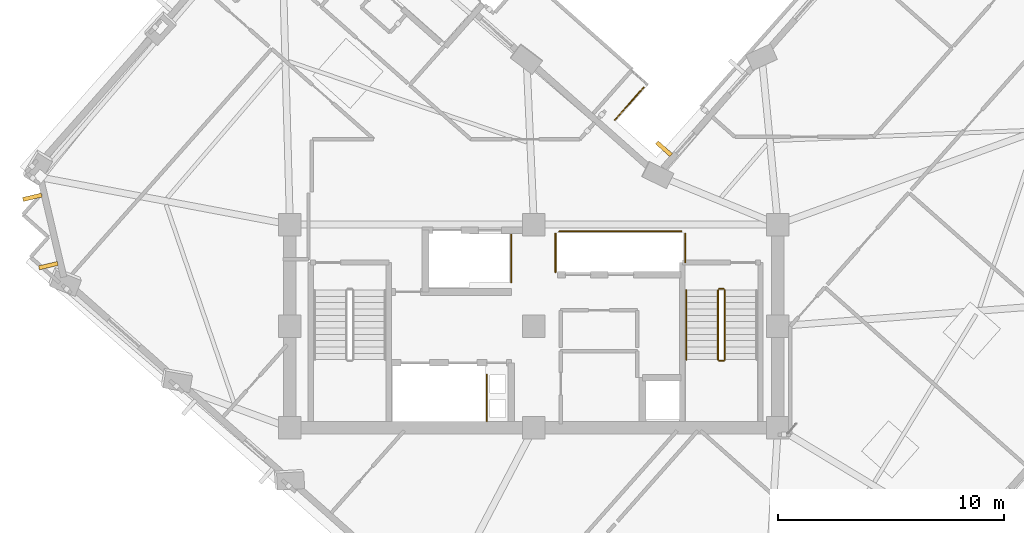
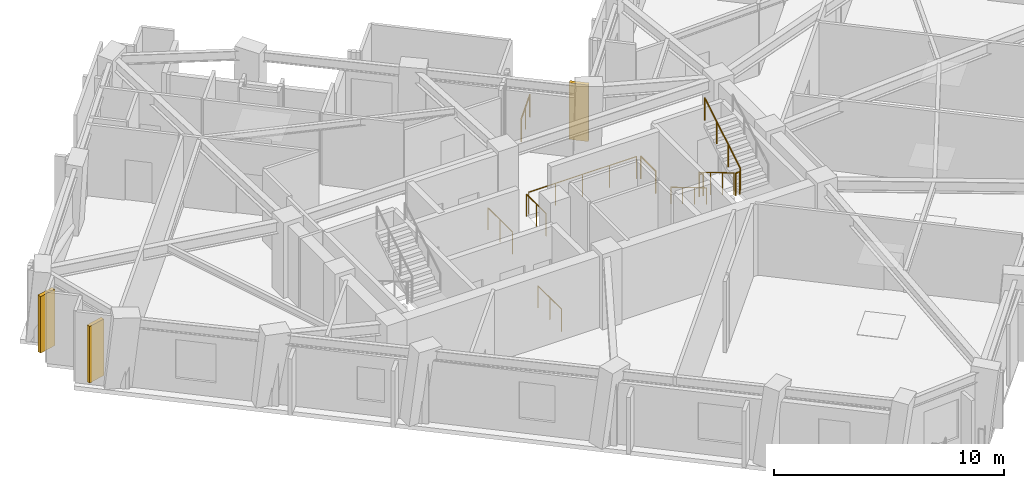
# One storey, part 11 of 13: 11 railings, 3 shading devices.
"""IFC4 building model written with IfcOpenShell, lengths in metres."""

from ifc_helpers import new_model, si_unit, direction, frame, origin, origin_2d, place, context, subcontext, project, spatial, rectangle, circle, extrude, material, layer, layer_set, type_object, element, save


model = new_model("IFC4")

# Units and contexts
model_context = context("Model", 3, precision=1e-05, world=origin(), true_north=direction((0.0, 1.0)))
body_context = subcontext(model_context, "Body", "Model", "MODEL_VIEW")
ifc_project = project(units=[si_unit("LENGTHUNIT", "METRE"), si_unit("AREAUNIT", "SQUARE_METRE"), si_unit("VOLUMEUNIT", "CUBIC_METRE"), si_unit("PLANEANGLEUNIT", "RADIAN"), si_unit("MASSUNIT", "GRAM", prefix="KILO")], contexts=[model_context])

# Site, building, storey
site_placement = place(None, origin())
site = spatial("IfcSite", under=ifc_project, at=site_placement, CompositionType="ELEMENT")
building_placement = place(site_placement, origin())
building = spatial("IfcBuilding", under=site, at=building_placement, Name="Gaonmaruhae Medical Tower", CompositionType="ELEMENT")
storey_placement = place(building_placement, frame((0.0, 0.0, 231.199951171875)))
storey = spatial("IfcBuildingStorey", under=building, at=storey_placement, Name="L55", CompositionType="ELEMENT", Elevation=231.199951171875)

# Railings
ifc_material_1 = material(Name="Stainless steel 316L and laminated safety glass", Category="steel")
ifc_layer = layer(ifc_material_1, 0.080078125)
ifc_layer_set = layer_set([ifc_layer], Name="Stainless steel 316L and laminated safety glass")
railing_type_1 = type_object("IfcRailingType", Name="GD-120 Outdoor Terrace Safety Glass & Steel Balustrade", PredefinedType="BALUSTRADE", material=ifc_layer_set)
railing_1_placement = place(storey_placement, frame((29.658447265625, 22.870361328125, 0.0)))
element("IfcRailing", 1, at=railing_1_placement, inside=storey, type_object=railing_type_1, Name="L55 Perimeter Slab Edge Safety Balustrade 09", PredefinedType="BALUSTRADE", context=body_context, shape_type="SweptSolid", body=[
    extrude(circle(Radius=0.02392578125, at=origin_2d()), frame((0.0, 0.0, 1.17578125), z_axis=(-0.66333015302, -0.748326872493, 0.0), x_axis=(0.748326872493, -0.66333015302, 0.0)), (0.0, 0.0, 1.0), 1.921630859375),
    extrude(circle(Radius=0.02099609375, at=origin_2d()), origin(), (0.0, 0.0, 1.0), 1.15185546875),
    extrude(circle(Radius=0.02099609375, at=origin_2d()), frame((-0.63720703125, -0.718994140625, 0.0)), (0.0, 0.0, 1.0), 1.15185546875),
    extrude(circle(Radius=0.02099609375, at=origin_2d()), frame((-1.274658203125, -1.43798828125, 0.0)), (0.0, 0.0, 1.0), 1.15185546875),
])
ifc_material_2 = material(Name="Stainless steel 304 handrail", Category="steel")
railing_type_2 = type_object("IfcRailingType", Name="HR-092 Continuous Stainless Steel Stair Handrail", PredefinedType="HANDRAIL", material=ifc_material_2)
railing_2_placement = place(storey_placement, frame((31.550048828125, 13.89990234375, 0.166748046875)))
element("IfcRailing", 2, at=railing_2_placement, inside=storey, type_object=railing_type_2, Name="L55 ST-02 stair handrail 1", PredefinedType="HANDRAIL", context=body_context, shape_type="SweptSolid", body=[
    extrude(circle(Radius=0.02392578125, at=origin_2d()), frame((0.0, 0.0, 0.8759765625), z_axis=(0.0, -0.859290745958, 0.51148745235), x_axis=(1.0, 0.0, 0.0)), (0.0, 0.0, 1.0), 3.584228515625),
    extrude(circle(Radius=0.02099609375, at=origin_2d()), origin(), (0.0, 0.0, 1.0), 0.851806640625),
    extrude(circle(Radius=0.02099609375, at=origin_2d()), frame((0.0, -1.026611328125, 0.611083984375)), (0.0, 0.0, 1.0), 0.851806640625),
    extrude(circle(Radius=0.02099609375, at=origin_2d()), frame((0.0, -2.05322265625, 1.22216796875)), (0.0, 0.0, 1.0), 0.851806640625),
    extrude(circle(Radius=0.02099609375, at=origin_2d()), frame((0.0, -3.079833984375, 1.833251953125)), (0.0, 0.0, 1.0), 0.851806640625),
])

# Shading devices
ifc_material_3 = material(Name="Pigmented coral precast concrete C45/55", Category="concrete")
shading_device_type = type_object("IfcShadingDeviceType", Name="SD-FIN1 Tower Vertical Coral Precast Shading Fin", PredefinedType="USERDEFINED", material=ifc_material_3)
for number, where, z_axis, x_axis, name in (
    (3, (30.55810546875, 20.154052734375, 0.132568359375), (0.0, 0.0, 1.0), (0.66327338299, 0.748377190605, 0.0), "L55 Vertical Coral Precast Shading Fin EN02"),
    (4, (3.306884765625, 14.981201171875, 0.132568359375), (0.0, 0.0, 1.0), (-0.228894583504, 0.973451215851, 0.0), "L55 Vertical Coral Precast Shading Fin N03"),
    (5, (2.595458984375, 18.006591796875, 0.132568359375), (0.0, 0.0, 1.0), (-0.228894583504, 0.973451215851, 0.0), "L55 Vertical Coral Precast Shading Fin N03B"),
):
    element("IfcShadingDevice", number, at=place(storey_placement, frame(where, z_axis=z_axis, x_axis=x_axis)), inside=storey, type_object=shading_device_type, Name=name, ObjectType="FIN", PredefinedType="USERDEFINED", context=body_context, shape_type="SweptSolid", body=[
        extrude(rectangle(XDim=0.179931640625, YDim=0.85009765625, at=origin_2d()), origin(), (0.0, 0.0, 1.0), 3.0),
    ])

# Railings
ifc_material_4 = material(Name="Stainless steel 304 balustrade", Category="steel")
railing_type_3 = type_object("IfcRailingType", Name="SG-112 Stair Well & Ramp Void Safety Balustrade", PredefinedType="BALUSTRADE", material=ifc_material_4)
railing_3_placement = place(storey_placement, frame((32.949951171875, 13.89990234375, 0.166748046875)))
element("IfcRailing", 6, at=railing_3_placement, inside=storey, type_object=railing_type_3, Name="L55 ST-02 stair guard 1", PredefinedType="BALUSTRADE", context=body_context, shape_type="SweptSolid", body=[
    extrude(circle(Radius=0.02392578125, at=origin_2d()), frame((0.0, 0.0, 1.17578125), z_axis=(0.0, -0.859290745958, 0.51148745235), x_axis=(1.0, 0.0, 0.0)), (0.0, 0.0, 1.0), 3.584228515625),
    extrude(circle(Radius=0.02099609375, at=origin_2d()), origin(), (0.0, 0.0, 1.0), 1.15185546875),
    extrude(circle(Radius=0.02099609375, at=origin_2d()), frame((0.0, -1.026611328125, 0.611083984375)), (0.0, 0.0, 1.0), 1.15185546875),
    extrude(circle(Radius=0.02099609375, at=origin_2d()), frame((0.0, -2.05322265625, 1.22216796875)), (0.0, 0.0, 1.0), 1.15185546875),
    extrude(circle(Radius=0.02099609375, at=origin_2d()), frame((0.0, -3.079833984375, 1.833251953125)), (0.0, 0.0, 1.0), 1.15185546875),
])
railing_4_placement = place(storey_placement, frame((33.0, 10.77001953125, 2.0)))
element("IfcRailing", 7, at=railing_4_placement, inside=storey, type_object=railing_type_3, Name="L55 ST-02 stair guard 2", PredefinedType="BALUSTRADE", context=body_context, shape_type="SweptSolid", body=[
    extrude(circle(Radius=0.02392578125, at=origin_2d()), frame((0.0, 0.0, 1.17578125), z_axis=(1.0, 0.0, 0.0), x_axis=(0.0, 1.0, 0.0)), (0.0, 0.0, 1.0), 0.199951171875),
    extrude(circle(Radius=0.02099609375, at=origin_2d()), origin(), (0.0, 0.0, 1.0), 1.15185546875),
    extrude(circle(Radius=0.02099609375, at=origin_2d()), frame((0.199951171875, 0.0, 0.0)), (0.0, 0.0, 1.0), 1.15185546875),
])
railing_5_placement = place(storey_placement, frame((33.25, 10.820068359375, 2.166748046875)))
element("IfcRailing", 8, at=railing_5_placement, inside=storey, type_object=railing_type_3, Name="L55 ST-02 stair guard 3", PredefinedType="BALUSTRADE", context=body_context, shape_type="SweptSolid", body=[
    extrude(circle(Radius=0.02392578125, at=origin_2d()), frame((0.0, 0.0, 1.17578125), z_axis=(0.0, 0.859290745958, 0.51148745235), x_axis=(-1.0, 0.0, 0.0)), (0.0, 0.0, 1.0), 3.584228515625),
    extrude(circle(Radius=0.02099609375, at=origin_2d()), origin(), (0.0, 0.0, 1.0), 1.15185546875),
    extrude(circle(Radius=0.02099609375, at=origin_2d()), frame((0.0, 1.026611328125, 0.611083984375)), (0.0, 0.0, 1.0), 1.15185546875),
    extrude(circle(Radius=0.02099609375, at=origin_2d()), frame((0.0, 2.05322265625, 1.22216796875)), (0.0, 0.0, 1.0), 1.15185546875),
    extrude(circle(Radius=0.02099609375, at=origin_2d()), frame((0.0, 3.079833984375, 1.833251953125)), (0.0, 0.0, 1.0), 1.15185546875),
])
railing_6_placement = place(storey_placement, frame((33.0, 13.949951171875, 0.0)))
element("IfcRailing", 9, at=railing_6_placement, inside=storey, type_object=railing_type_3, Name="L55 ST-02 stair guard 4", PredefinedType="BALUSTRADE", context=body_context, shape_type="SweptSolid", body=[
    extrude(circle(Radius=0.02392578125, at=origin_2d()), frame((0.0, 0.0, 1.17578125), z_axis=(1.0, 0.0, 0.0), x_axis=(0.0, 1.0, 0.0)), (0.0, 0.0, 1.0), 0.199951171875),
    extrude(circle(Radius=0.02099609375, at=origin_2d()), origin(), (0.0, 0.0, 1.0), 1.15185546875),
    extrude(circle(Radius=0.02099609375, at=origin_2d()), frame((0.199951171875, 0.0, 0.0)), (0.0, 0.0, 1.0), 1.15185546875),
])
railing_7_placement = place(storey_placement, frame((22.719970703125, 10.159912109375, 0.0)))
element("IfcRailing", 10, at=railing_7_placement, inside=storey, type_object=railing_type_3, Name="L55 Shaft Edge Safety Guard 12", PredefinedType="BALUSTRADE", context=body_context, shape_type="SweptSolid", body=[
    extrude(circle(Radius=0.02392578125, at=origin_2d()), frame((0.0, 0.0, 1.17578125), z_axis=(0.0, -1.0, 0.0), x_axis=(1.0, 0.0, 0.0)), (0.0, 0.0, 1.0), 2.06494140625),
    extrude(circle(Radius=0.02099609375, at=origin_2d()), origin(), (0.0, 0.0, 1.0), 1.15185546875),
    extrude(circle(Radius=0.02099609375, at=origin_2d()), frame((0.0, -1.032470703125, 0.0)), (0.0, 0.0, 1.0), 1.15185546875),
    extrude(circle(Radius=0.02099609375, at=origin_2d()), frame((0.0, -2.06494140625, 0.0)), (0.0, 0.0, 1.0), 1.15185546875),
])
railing_8_placement = place(storey_placement, frame((23.794921875, 16.35498046875, 0.0)))
element("IfcRailing", 11, at=railing_8_placement, inside=storey, type_object=railing_type_3, Name="L55 Shaft Edge Safety Guard 13", PredefinedType="BALUSTRADE", context=body_context, shape_type="SweptSolid", body=[
    extrude(circle(Radius=0.02392578125, at=origin_2d()), frame((0.0, 0.0, 1.17578125), z_axis=(0.0, -1.0, 0.0), x_axis=(1.0, 0.0, 0.0)), (0.0, 0.0, 1.0), 2.10986328125),
    extrude(circle(Radius=0.02099609375, at=origin_2d()), origin(), (0.0, 0.0, 1.0), 1.15185546875),
    extrude(circle(Radius=0.02099609375, at=origin_2d()), frame((0.0, -1.054931640625, 0.0)), (0.0, 0.0, 1.0), 1.15185546875),
    extrude(circle(Radius=0.02099609375, at=origin_2d()), frame((0.0, -2.10986328125, 0.0)), (0.0, 0.0, 1.0), 1.15185546875),
])
railing_9_placement = place(storey_placement, frame((31.4951171875, 16.405029296875, 0.0)))
element("IfcRailing", 12, at=railing_9_placement, inside=storey, type_object=railing_type_3, Name="L55 Shaft Edge Safety Guard 14", PredefinedType="BALUSTRADE", context=body_context, shape_type="SweptSolid", body=[
    extrude(circle(Radius=0.02392578125, at=origin_2d()), frame((0.0, 0.0, 1.17578125), z_axis=(0.0, -1.0, 0.0), x_axis=(1.0, 0.0, 0.0)), (0.0, 0.0, 1.0), 1.284912109375),
    extrude(circle(Radius=0.02099609375, at=origin_2d()), origin(), (0.0, 0.0, 1.0), 1.15185546875),
    extrude(circle(Radius=0.02099609375, at=origin_2d()), frame((0.0, -1.284912109375, 0.0)), (0.0, 0.0, 1.0), 1.15185546875),
])
railing_10_placement = place(storey_placement, frame((25.7548828125, 14.695068359375, 0.0)))
element("IfcRailing", 13, at=railing_10_placement, inside=storey, type_object=railing_type_3, Name="L55 Shaft Edge Safety Guard 15", PredefinedType="BALUSTRADE", context=body_context, shape_type="SweptSolid", body=[
    extrude(circle(Radius=0.02392578125, at=origin_2d()), frame((0.0, 0.0, 1.17578125), z_axis=(0.0, 1.0, 0.0), x_axis=(-1.0, 0.0, 0.0)), (0.0, 0.0, 1.0), 1.7099609375),
    extrude(circle(Radius=0.02099609375, at=origin_2d()), origin(), (0.0, 0.0, 1.0), 1.15185546875),
    extrude(circle(Radius=0.02099609375, at=origin_2d()), frame((0.0, 0.85498046875, 0.0)), (0.0, 0.0, 1.0), 1.15185546875),
    extrude(circle(Radius=0.02099609375, at=origin_2d()), frame((0.0, 1.7099609375, 0.0)), (0.0, 0.0, 1.0), 1.15185546875),
])
railing_11_placement = place(storey_placement, frame((25.919921875, 16.4951171875, 0.0)))
element("IfcRailing", 14, at=railing_11_placement, inside=storey, type_object=railing_type_3, Name="L55 Shaft Edge Safety Guard 16", PredefinedType="BALUSTRADE", context=body_context, shape_type="SweptSolid", body=[
    extrude(circle(Radius=0.02392578125, at=origin_2d()), frame((0.0, 0.0, 1.17578125), z_axis=(1.0, 0.0, 0.0), x_axis=(0.0, 1.0, 0.0)), (0.0, 0.0, 1.0), 5.41015625),
    extrude(circle(Radius=0.02099609375, at=origin_2d()), origin(), (0.0, 0.0, 1.0), 1.15185546875),
    extrude(circle(Radius=0.02099609375, at=origin_2d()), frame((1.3525390625, 0.0, 0.0)), (0.0, 0.0, 1.0), 1.15185546875),
    extrude(circle(Radius=0.02099609375, at=origin_2d()), frame((2.705078125, 0.0, 0.0)), (0.0, 0.0, 1.0), 1.15185546875),
    extrude(circle(Radius=0.02099609375, at=origin_2d()), frame((4.0576171875, 0.0, 0.0)), (0.0, 0.0, 1.0), 1.15185546875),
    extrude(circle(Radius=0.02099609375, at=origin_2d()), frame((5.41015625, 0.0, 0.0)), (0.0, 0.0, 1.0), 1.15185546875),
])

save(model, "model.ifc")
